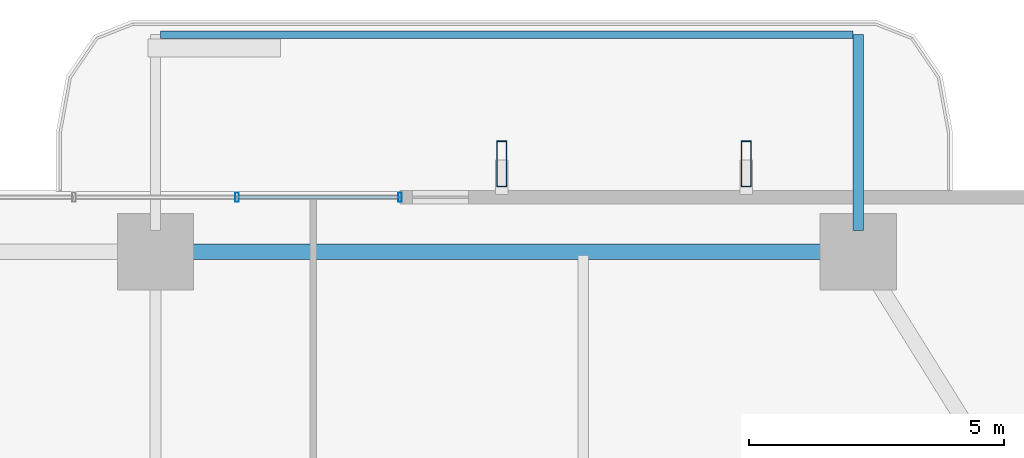
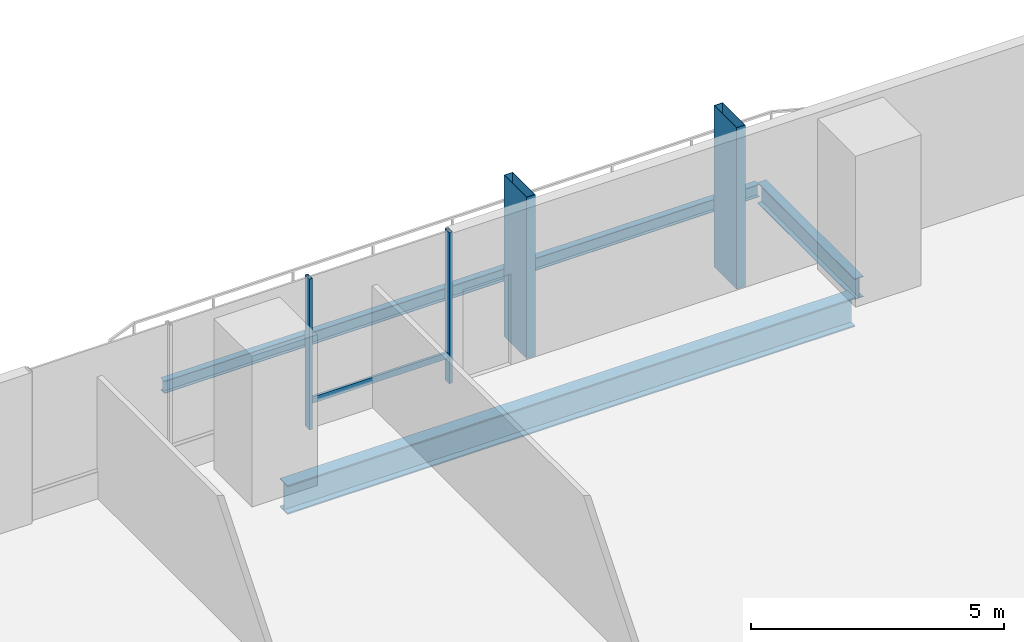
# One storey, part 15 of 23: 5 members, 3 beams, 1 element without a shape of its own.
"""IFC4 building model written with IfcOpenShell, lengths in metres."""

from ifc_helpers import new_model, si_unit, direction, frame, origin, origin_2d, place, context, subcontext, project, spatial, hollow_rectangle, i_section, extrude, material, layer, layer_set, material_profile, profile_set, type_object, element, aggregate, save


model = new_model("IFC4")

# Units and contexts
model_context = context("Model", 3, precision=1e-05, world=origin(), true_north=direction((0.0, 1.0)))
body_context = subcontext(model_context, "Body", "Model", "MODEL_VIEW")
ifc_project = project(units=[si_unit("LENGTHUNIT", "METRE"), si_unit("AREAUNIT", "SQUARE_METRE"), si_unit("VOLUMEUNIT", "CUBIC_METRE"), si_unit("PLANEANGLEUNIT", "RADIAN"), si_unit("MASSUNIT", "GRAM", prefix="KILO")], contexts=[model_context])

# Site, building, storey
site_placement = place(None, origin())
site = spatial("IfcSite", under=ifc_project, at=site_placement, CompositionType="ELEMENT")
building_placement = place(site_placement, origin())
building = spatial("IfcBuilding", under=site, at=building_placement, Name="Belovzor Exchange Tower", CompositionType="ELEMENT")
storey_placement = place(building_placement, frame((0.0, 0.0, 100.199951171875)))
storey = spatial("IfcBuildingStorey", under=building, at=storey_placement, Name="L24", CompositionType="ELEMENT", Elevation=100.199951171875)

# Beams
ifc_material_1 = material(Name="Steel S355", Category="steel")
ifc_material_profile_1 = material_profile(ifc_material_1, i_section(OverallWidth=0.199951171875, OverallDepth=0.5, WebThickness=0.01025390625, FlangeThickness=0.01611328125, at=origin_2d()))
ifc_profile_set_1 = profile_set([ifc_material_profile_1], Name="Steel S355")
beam_type_1 = type_object("IfcBeamType", Name="Planted Balcony Cantilever Beam IPE 500", PredefinedType="BEAM", material=ifc_profile_set_1)
beam_1_placement = place(storey_placement, frame((42.60009765625, 55.9130859375, -0.5), z_axis=(0.0, 1.0, 0.0), x_axis=(-1.0, 0.0, 0.0)))
element("IfcBeam", 1, at=beam_1_placement, inside=storey, type_object=beam_type_1, Name="BC-500 Planted Balcony Cantilever Beam IPE 500", PredefinedType="BEAM", context=body_context, shape_type="SweptSolid", body=[
    extrude(i_section(OverallWidth=0.199951171875, OverallDepth=0.5, WebThickness=0.01025390625, FlangeThickness=0.01611328125, at=origin_2d()), origin(), (0.0, 0.0, 1.0), 3.849853515625),
])
ifc_material_2 = material(Name="Steel S355", Category="steel")
ifc_material_profile_2 = material_profile(ifc_material_2, i_section(OverallWidth=0.14990234375, OverallDepth=0.300048828125, WebThickness=0.007080078125, FlangeThickness=0.0107421875, at=origin_2d()))
ifc_profile_set_2 = profile_set([ifc_material_profile_2], Name="Steel S355")
beam_type_2 = type_object("IfcBeamType", Name="Planted Balcony Fascia Edge Beam IPE 300", PredefinedType="BEAM", material=ifc_profile_set_2)
beam_2_placement = place(storey_placement, frame((42.5, 59.762939453125, -0.39990234375), z_axis=(-1.0, 0.0, 0.0), x_axis=(0.0, -1.0, 0.0)))
element("IfcBeam", 2, at=beam_2_placement, inside=storey, type_object=beam_type_2, Name="BC-300 Planted Balcony Fascia Edge Beam IPE 300", PredefinedType="BEAM", context=body_context, shape_type="SweptSolid", body=[
    extrude(i_section(OverallWidth=0.14990234375, OverallDepth=0.300048828125, WebThickness=0.007080078125, FlangeThickness=0.0107421875, at=origin_2d()), origin(), (0.0, 0.0, 1.0), 13.60009765625),
])

# Members
ifc_material_3 = material(Name="Extruded Architectural Terracotta on Steel S355 Carrier", Category="masonry")
ifc_material_profile_3 = material_profile(ifc_material_3, hollow_rectangle(XDim=0.199951171875, YDim=0.89990234375, WallThickness=0.011962890625, at=origin_2d()))
ifc_profile_set_3 = profile_set([ifc_material_profile_3], Name="Extruded Architectural Terracotta on Steel S355 Carrier")
member_type_1 = type_object("IfcMemberType", Name="Sweeping Terracotta Baguette Fin Assembly 1250", PredefinedType="USERDEFINED", material=ifc_profile_set_3)
for number, where, z_axis, x_axis, name in (
    (3, (35.60009765625, 57.22509765625, -0.25), (0.0, 0.0, 1.0), (1.0, 0.0, 0.0), "FIN-TC125 Terracotta Facade Fin L24 N3"),
    (4, (40.39990234375, 57.22509765625, -0.25), (0.0, 0.0, 1.0), (1.0, 0.0, 0.0), "FIN-TC125 Terracotta Facade Fin L24 N4"),
):
    element("IfcMember", number, at=place(storey_placement, frame(where, z_axis=z_axis, x_axis=x_axis)), inside=storey, type_object=member_type_1, Name=name, ObjectType="FIN", PredefinedType="USERDEFINED", context=body_context, shape_type="SweptSolid", body=[
        extrude(hollow_rectangle(XDim=0.199951171875, YDim=0.89990234375, WallThickness=0.011962890625, at=origin_2d()), origin(), (0.0, 0.0, 1.0), 3.900146484375),
    ])

# Curtain wall, members
ifc_material_4 = material(Name="Anodised Aluminium Framing", Category="aluminium")
ifc_layer = layer(ifc_material_4, 0.179931640625)
ifc_layer_set = layer_set([ifc_layer], Name="Anodised Aluminium Framing")
curtain_wall_type = type_object("IfcCurtainWallType", Name="Recessed Loggia Low-Iron Triple-Glazed Curtain Wall", PredefinedType="NOTDEFINED", material=ifc_layer_set)
curtain_wall_placement = place(storey_placement, origin())
curtain_wall = element("IfcCurtainWall", 5, at=curtain_wall_placement, inside=storey, type_object=curtain_wall_type, Name="CW3 Recessed Loggia Low-Iron Triple-Glazed Curtain Wall L24", PredefinedType="NOTDEFINED")
ifc_material_5 = material(Name="Steel S355", Category="steel")
ifc_material_profile_4 = material_profile(ifc_material_5, hollow_rectangle(XDim=0.074951171875, YDim=0.179931640625, WallThickness=0.0048828125, at=origin_2d()))
ifc_profile_set_4 = profile_set([ifc_material_profile_4], Name="Steel S355")
member_type_2 = type_object("IfcMemberType", Name="Thermally Broken Curtain Wall Mullion 180x75", PredefinedType="MULLION", material=ifc_profile_set_4)
member_1_placement = place(storey_placement, frame((30.39990234375, 56.570068359375, 0.0), z_axis=(0.0, 0.0, 1.0), x_axis=(1.0, 0.0, 0.0)))
member_1 = element("IfcMember", 6, at=member_1_placement, type_object=member_type_2, Name="CW-M180 Curtain Wall Mullion 3", PredefinedType="MULLION", context=body_context, shape_type="SweptSolid", body=[
    extrude(hollow_rectangle(XDim=0.074951171875, YDim=0.179931640625, WallThickness=0.0048828125, at=origin_2d()), origin(), (0.0, 0.0, 1.0), 3.650146484375),
])
member_2_placement = place(storey_placement, frame((33.60009765625, 56.570068359375, 0.0), z_axis=(0.0, 0.0, 1.0), x_axis=(1.0, 0.0, 0.0)))
member_2 = element("IfcMember", 7, at=member_2_placement, type_object=member_type_2, Name="CW-M180 Curtain Wall Mullion 4", PredefinedType="MULLION", context=body_context, shape_type="SweptSolid", body=[
    extrude(hollow_rectangle(XDim=0.074951171875, YDim=0.179931640625, WallThickness=0.0048828125, at=origin_2d()), origin(), (0.0, 0.0, 1.0), 3.650146484375),
])
ifc_material_6 = material(Name="Steel S355", Category="steel")
ifc_material_profile_5 = material_profile(ifc_material_6, hollow_rectangle(XDim=0.06005859375, YDim=0.14990234375, WallThickness=0.00390625, at=origin_2d()))
ifc_profile_set_5 = profile_set([ifc_material_profile_5], Name="Steel S355")
member_type_3 = type_object("IfcMemberType", Name="Thermally Broken Curtain Wall Transom 150x60", PredefinedType="USERDEFINED", material=ifc_profile_set_5)
member_3_placement = place(storey_placement, frame((30.407958984375, 56.570068359375, 0.650146484375), z_axis=(1.0, 0.0, 0.0), x_axis=(0.0, 1.0, 0.0)))
member_3 = element("IfcMember", 8, at=member_3_placement, type_object=member_type_3, Name="CW-T150 Curtain Wall Transom 3", ObjectType="TRANSOM", PredefinedType="USERDEFINED", context=body_context, shape_type="SweptSolid", body=[
    extrude(hollow_rectangle(XDim=0.06005859375, YDim=0.14990234375, WallThickness=0.00390625, at=origin_2d()), origin(), (0.0, 0.0, 1.0), 3.18408203125),
])
aggregate(curtain_wall, [member_1, member_2, member_3])

# Beam
ifc_material_7 = material(Name="Steel S355", Category="steel")
ifc_material_profile_6 = material_profile(ifc_material_7, i_section(OverallWidth=0.300048828125, OverallDepth=0.699951171875, WebThickness=0.01708984375, FlangeThickness=0.031982421875, at=origin_2d()))
ifc_profile_set_6 = profile_set([ifc_material_profile_6], Name="Steel S355")
beam_type_3 = type_object("IfcBeamType", Name="Zone 1 Primary Perimeter Girder HEB 700", PredefinedType="BEAM", material=ifc_profile_set_6)
beam_3_placement = place(storey_placement, frame((42.18798828125, 55.5, -0.599853515625), z_axis=(-1.0, 0.0, 0.0), x_axis=(0.0, -1.0, 0.0)))
element("IfcBeam", 9, at=beam_3_placement, inside=storey, type_object=beam_type_3, Name="FG-Z1 Zone 1 Primary Perimeter Girder HEB 700", PredefinedType="BEAM", context=body_context, shape_type="SweptSolid", body=[
    extrude(i_section(OverallWidth=0.300048828125, OverallDepth=0.699951171875, WebThickness=0.01708984375, FlangeThickness=0.031982421875, at=origin_2d()), origin(), (0.0, 0.0, 1.0), 12.97509765625),
])

save(model, "model.ifc")
